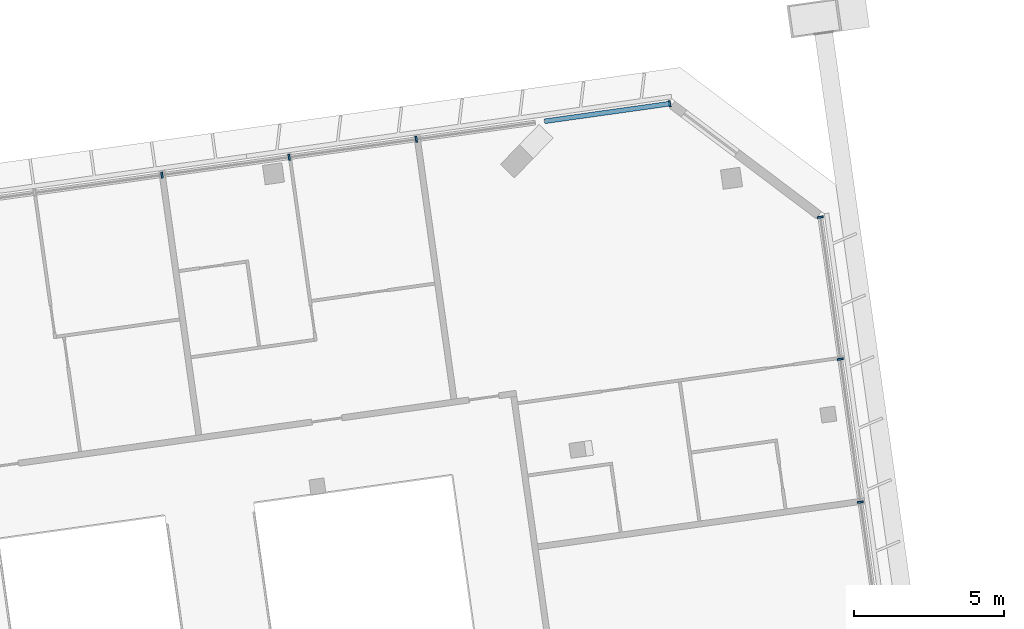
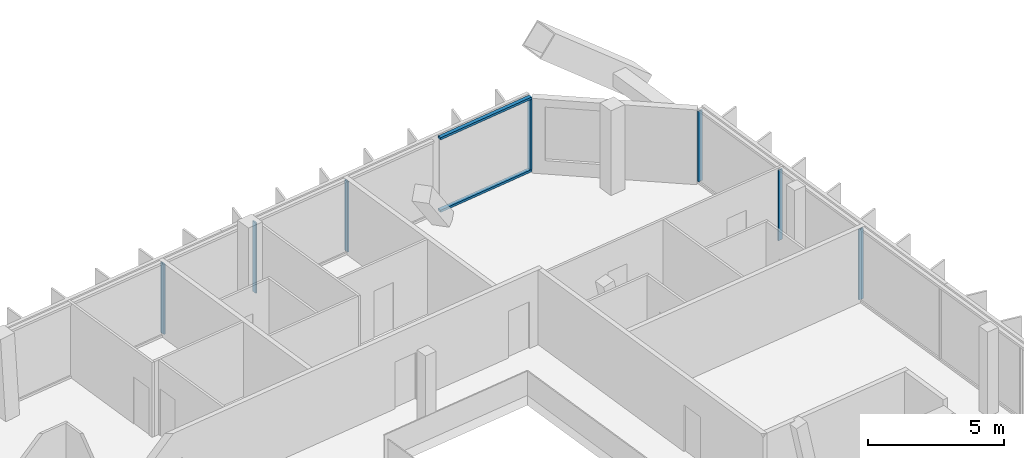
# One storey, part 13 of 26: 9 members, 2 elements without a shape of their own.
"""IFC4 building model written with IfcOpenShell, lengths in metres."""

from ifc_helpers import new_model, si_unit, direction, frame, origin, origin_2d, place, context, subcontext, project, spatial, rectangle, extrude, material, material_profile, profile_set, type_object, element, aggregate, save


model = new_model("IFC4")

# Units and contexts
model_context = context("Model", 3, precision=1e-05, world=origin(), true_north=direction((0.0, 1.0)))
body_context = subcontext(model_context, "Body", "Model", "MODEL_VIEW")
ifc_project = project(units=[si_unit("LENGTHUNIT", "METRE"), si_unit("AREAUNIT", "SQUARE_METRE"), si_unit("VOLUMEUNIT", "CUBIC_METRE"), si_unit("PLANEANGLEUNIT", "RADIAN"), si_unit("MASSUNIT", "GRAM", prefix="KILO")], contexts=[model_context])

# Site, building, storey
site_placement = place(None, origin())
site = spatial("IfcSite", under=ifc_project, at=site_placement, CompositionType="ELEMENT")
building_placement = place(site_placement, origin())
building = spatial("IfcBuilding", under=site, at=building_placement, Name="Mirante Cascada Hotel Towers", CompositionType="ELEMENT")
storey_placement = place(building_placement, frame((0.0, 0.0, 228.0)))
storey = spatial("IfcBuildingStorey", under=building, at=storey_placement, Name="L54", CompositionType="ELEMENT", Elevation=228.0)

# Curtain wall, members
ifc_material_1 = material(Name="Aluminium mullion and transom frame with clear laminated glass", Category="aluminium")
curtain_wall_type_1 = type_object("IfcCurtainWallType", Name="Ribbon curtain wall ECW1", PredefinedType="NOTDEFINED", material=ifc_material_1)
curtain_wall_1_placement = place(storey_placement, origin())
curtain_wall_1 = element("IfcCurtainWall", 1, at=curtain_wall_1_placement, inside=storey, type_object=curtain_wall_type_1, Name="Front ribbon wall T2 L54", PredefinedType="NOTDEFINED")
ifc_material_2 = material(Name="Anodised aluminium extrusion", Category="aluminium")
ifc_material_profile_1 = material_profile(ifc_material_2, rectangle(XDim=0.2, YDim=0.065, at=origin_2d()), Name="ECW1 MULLION 65x200")
ifc_profile_set_1 = profile_set([ifc_material_profile_1], Name="Anodised aluminium extrusion")
member_type_1 = type_object("IfcMemberType", Name="ECW1 mullion 65x200", PredefinedType="MULLION", material=ifc_profile_set_1)
member_1_placement = place(storey_placement, frame((67.3887, 22.2899, 0.1), z_axis=(0.0, 0.0, 1.0), x_axis=(0.1391731, -0.9902681, 0.0)))
member_1 = element("IfcMember", 2, at=member_1_placement, type_object=member_type_1, Name="ECW1 mullion 1", PredefinedType="MULLION", context=body_context, shape_type="SweptSolid", body=[
    extrude(rectangle(XDim=0.2, YDim=0.065, at=origin_2d()), origin(), (0.0, 0.0, 1.0), 3.15),
])
member_2_placement = place(storey_placement, frame((58.9414, 21.1027, 0.1), z_axis=(0.0, 0.0, 1.0), x_axis=(0.1391731, -0.9902681, 0.0)))
member_2 = element("IfcMember", 3, at=member_2_placement, type_object=member_type_1, Name="ECW1 mullion 3", PredefinedType="MULLION", context=body_context, shape_type="SweptSolid", body=[
    extrude(rectangle(XDim=0.2, YDim=0.065, at=origin_2d()), origin(), (0.0, 0.0, 1.0), 3.15),
])
member_3_placement = place(storey_placement, frame((54.7017, 20.5068, 0.1), z_axis=(0.0, 0.0, 1.0), x_axis=(0.1391731, -0.9902681, 0.0)))
member_3 = element("IfcMember", 4, at=member_3_placement, type_object=member_type_1, Name="ECW1 mullion 4", PredefinedType="MULLION", context=body_context, shape_type="SweptSolid", body=[
    extrude(rectangle(XDim=0.2, YDim=0.065, at=origin_2d()), origin(), (0.0, 0.0, 1.0), 3.15),
])
member_4_placement = place(storey_placement, frame((50.462, 19.911, 0.1), z_axis=(0.0, 0.0, 1.0), x_axis=(0.1391731, -0.9902681, 0.0)))
member_4 = element("IfcMember", 5, at=member_4_placement, type_object=member_type_1, Name="ECW1 mullion 5", PredefinedType="MULLION", context=body_context, shape_type="SweptSolid", body=[
    extrude(rectangle(XDim=0.2, YDim=0.065, at=origin_2d()), origin(), (0.0, 0.0, 1.0), 3.15),
])
ifc_material_3 = material(Name="Anodised aluminium extrusion", Category="aluminium")
ifc_material_profile_2 = material_profile(ifc_material_3, rectangle(XDim=0.16, YDim=0.1, at=origin_2d()), Name="ECW1 TRANSOM 100x160")
ifc_profile_set_2 = profile_set([ifc_material_profile_2], Name="Anodised aluminium extrusion")
member_type_2 = type_object("IfcMemberType", Name="ECW1 transom 100x160", PredefinedType="USERDEFINED", material=ifc_profile_set_2)
member_5_placement = place(storey_placement, frame((67.4209, 22.2944, 0.05), z_axis=(-0.9902671, -0.1391798, 0.0), x_axis=(0.1391798, -0.9902671, 0.0)))
member_5 = element("IfcMember", 6, at=member_5_placement, type_object=member_type_2, Name="ECW1 sill transom", ObjectType="TRANSOM", PredefinedType="USERDEFINED", context=body_context, shape_type="SweptSolid", body=[
    extrude(rectangle(XDim=0.16, YDim=0.1, at=origin_2d()), origin(), (0.0, 0.0, 1.0), 4.2477),
])
member_6_placement = place(storey_placement, frame((67.4209, 22.2944, 3.3), z_axis=(-0.9902671, -0.1391798, 0.0), x_axis=(0.1391798, -0.9902671, 0.0)))
member_6 = element("IfcMember", 7, at=member_6_placement, type_object=member_type_2, Name="ECW1 head transom", ObjectType="TRANSOM", PredefinedType="USERDEFINED", context=body_context, shape_type="SweptSolid", body=[
    extrude(rectangle(XDim=0.16, YDim=0.1, at=origin_2d()), origin(), (0.0, 0.0, 1.0), 4.2477),
])
aggregate(curtain_wall_1, [member_5, member_6, member_1, member_2, member_3, member_4])

ifc_material_4 = material(Name="Aluminium mullion and transom frame with clear laminated glass", Category="aluminium")
curtain_wall_type_2 = type_object("IfcCurtainWallType", Name="End ribbon curtain wall ECW2", PredefinedType="NOTDEFINED", material=ifc_material_4)
curtain_wall_2_placement = place(storey_placement, origin())
curtain_wall_2 = element("IfcCurtainWall", 8, at=curtain_wall_2_placement, inside=storey, type_object=curtain_wall_type_2, Name="Outer end wall T2 L54", PredefinedType="NOTDEFINED")
ifc_material_5 = material(Name="Anodised aluminium extrusion", Category="aluminium")
ifc_material_profile_3 = material_profile(ifc_material_5, rectangle(XDim=0.2, YDim=0.065, at=origin_2d()), Name="ECW2 MULLION 65x200")
ifc_profile_set_3 = profile_set([ifc_material_profile_3], Name="Anodised aluminium extrusion")
member_type_3 = type_object("IfcMemberType", Name="ECW2 mullion 65x200", PredefinedType="MULLION", material=ifc_profile_set_3)
member_7_placement = place(storey_placement, frame((73.7437, 9.0077, 0.1), z_axis=(0.0, 0.0, 1.0), x_axis=(-0.9902681, -0.1391731, 0.0)))
member_7 = element("IfcMember", 9, at=member_7_placement, type_object=member_type_3, Name="ECW2 mullion 5", PredefinedType="MULLION", context=body_context, shape_type="SweptSolid", body=[
    extrude(rectangle(XDim=0.2, YDim=0.065, at=origin_2d()), origin(), (0.0, 0.0, 1.0), 3.15),
])
member_8_placement = place(storey_placement, frame((73.0739, 13.7735, 0.1), z_axis=(0.0, 0.0, 1.0), x_axis=(-0.9902681, -0.1391731, 0.0)))
member_8 = element("IfcMember", 10, at=member_8_placement, type_object=member_type_3, Name="ECW2 mullion 6", PredefinedType="MULLION", context=body_context, shape_type="SweptSolid", body=[
    extrude(rectangle(XDim=0.2, YDim=0.065, at=origin_2d()), origin(), (0.0, 0.0, 1.0), 3.15),
])
member_9_placement = place(storey_placement, frame((72.4087, 18.5071, 0.1), z_axis=(0.0, 0.0, 1.0), x_axis=(-0.9902681, -0.1391731, 0.0)))
member_9 = element("IfcMember", 11, at=member_9_placement, type_object=member_type_3, Name="ECW2 mullion 7", PredefinedType="MULLION", context=body_context, shape_type="SweptSolid", body=[
    extrude(rectangle(XDim=0.2, YDim=0.065, at=origin_2d()), origin(), (0.0, 0.0, 1.0), 3.15),
])
aggregate(curtain_wall_2, [member_7, member_8, member_9])

save(model, "model.ifc")
